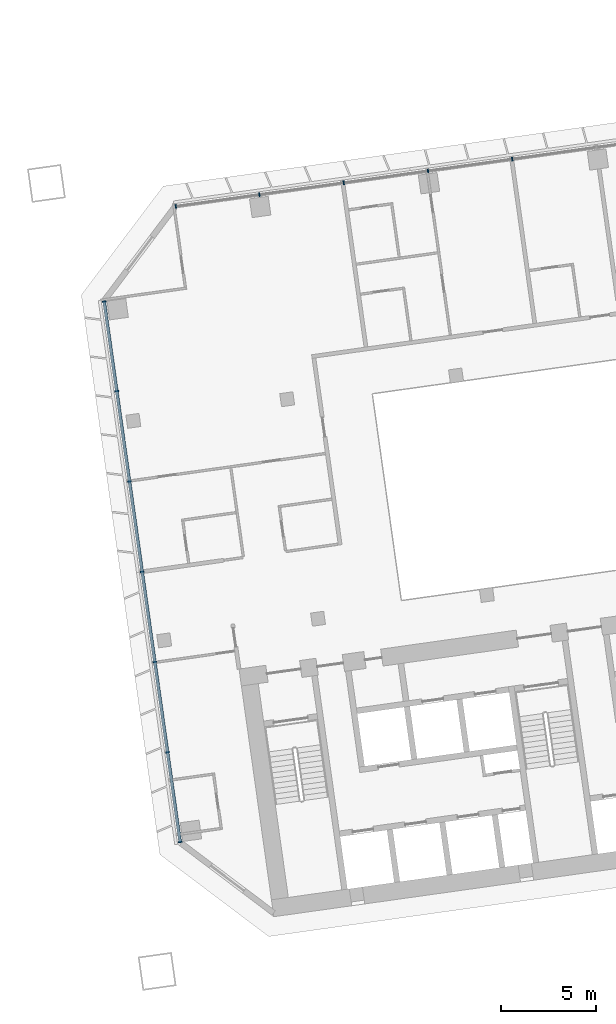
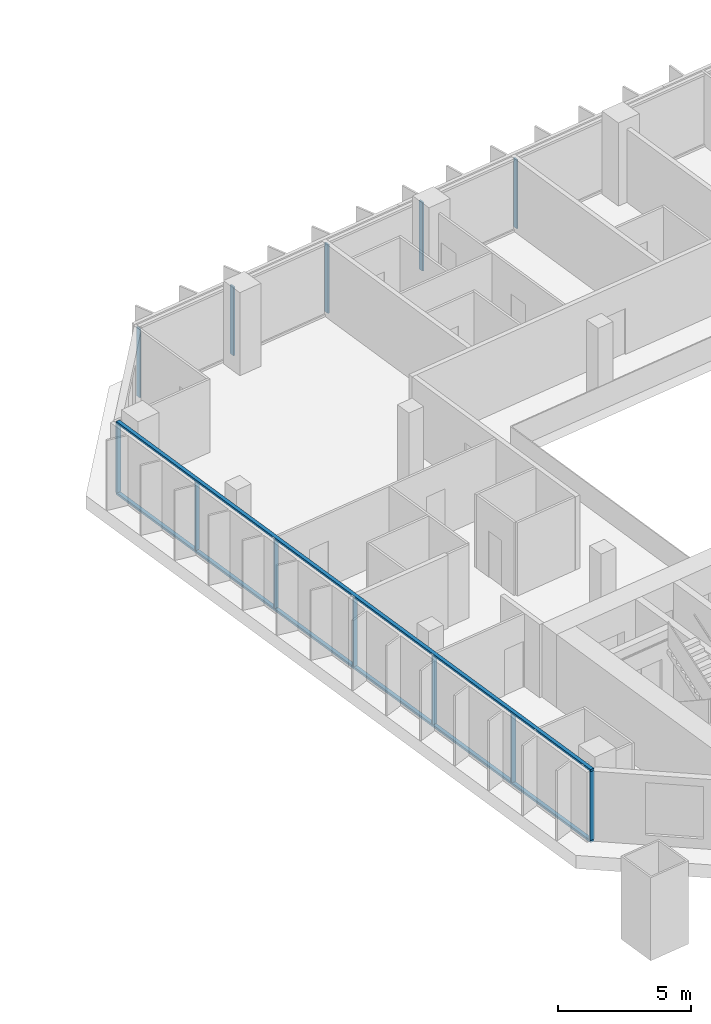
# One storey, part 7 of 25: 14 members, 2 elements without a shape of their own.
"""IFC4 building model written with IfcOpenShell, lengths in metres."""

from ifc_helpers import new_model, si_unit, direction, frame, origin, origin_2d, place, context, subcontext, project, spatial, rectangle, extrude, material, material_profile, profile_set, type_object, element, aggregate, save


model = new_model("IFC4")

# Units and contexts
model_context = context("Model", 3, precision=1e-05, world=origin(), true_north=direction((0.0, 1.0)))
body_context = subcontext(model_context, "Body", "Model", "MODEL_VIEW")
ifc_project = project(units=[si_unit("LENGTHUNIT", "METRE"), si_unit("AREAUNIT", "SQUARE_METRE"), si_unit("VOLUMEUNIT", "CUBIC_METRE"), si_unit("PLANEANGLEUNIT", "RADIAN"), si_unit("MASSUNIT", "GRAM", prefix="KILO")], contexts=[model_context])

# Site, building, storey
site_placement = place(None, origin())
site = spatial("IfcSite", under=ifc_project, at=site_placement, CompositionType="ELEMENT")
building_placement = place(site_placement, origin())
building = spatial("IfcBuilding", under=site, at=building_placement, Name="Mirante Cascada Hotel Towers", CompositionType="ELEMENT")
storey_placement = place(building_placement, frame((0.0, 0.0, 62.3)))
storey = spatial("IfcBuildingStorey", under=building, at=storey_placement, Name="L12", CompositionType="ELEMENT", Elevation=62.3)

# Curtain wall, members
ifc_material_1 = material(Name="Aluminium mullion and transom frame with clear laminated glass", Category="aluminium")
curtain_wall_type_1 = type_object("IfcCurtainWallType", Name="Ribbon curtain wall ECW1", PredefinedType="NOTDEFINED", material=ifc_material_1)
curtain_wall_1_placement = place(storey_placement, origin())
curtain_wall_1 = element("IfcCurtainWall", 1, at=curtain_wall_1_placement, inside=storey, type_object=curtain_wall_type_1, Name="Front ribbon wall T2 L12", PredefinedType="NOTDEFINED")
ifc_material_2 = material(Name="Anodised aluminium extrusion", Category="aluminium")
ifc_material_profile_1 = material_profile(ifc_material_2, rectangle(XDim=0.2, YDim=0.065, at=origin_2d()), Name="ECW1 MULLION 65x200")
ifc_profile_set_1 = profile_set([ifc_material_profile_1], Name="Anodised aluminium extrusion")
member_type_1 = type_object("IfcMemberType", Name="ECW1 mullion 65x200", PredefinedType="MULLION", material=ifc_profile_set_1)
member_1_placement = place(storey_placement, frame((49.684, 19.8017, 0.1), z_axis=(0.0, 0.0, 1.0), x_axis=(0.1391731, -0.9902681, 0.0)))
member_1 = element("IfcMember", 2, at=member_1_placement, type_object=member_type_1, Name="ECW1 mullion 11", PredefinedType="MULLION", context=body_context, shape_type="SweptSolid", body=[
    extrude(rectangle(XDim=0.2, YDim=0.065, at=origin_2d()), origin(), (0.0, 0.0, 1.0), 3.15),
])
member_2_placement = place(storey_placement, frame((45.2366, 19.1766, 0.1), z_axis=(0.0, 0.0, 1.0), x_axis=(0.1391731, -0.9902681, 0.0)))
member_2 = element("IfcMember", 3, at=member_2_placement, type_object=member_type_1, Name="ECW1 mullion 12", PredefinedType="MULLION", context=body_context, shape_type="SweptSolid", body=[
    extrude(rectangle(XDim=0.2, YDim=0.065, at=origin_2d()), origin(), (0.0, 0.0, 1.0), 3.15),
])
member_3_placement = place(storey_placement, frame((40.7892, 18.5516, 0.1), z_axis=(0.0, 0.0, 1.0), x_axis=(0.1391731, -0.9902681, 0.0)))
member_3 = element("IfcMember", 4, at=member_3_placement, type_object=member_type_1, Name="ECW1 mullion 13", PredefinedType="MULLION", context=body_context, shape_type="SweptSolid", body=[
    extrude(rectangle(XDim=0.2, YDim=0.065, at=origin_2d()), origin(), (0.0, 0.0, 1.0), 3.15),
])
member_4_placement = place(storey_placement, frame((36.3417, 17.9265, 0.1), z_axis=(0.0, 0.0, 1.0), x_axis=(0.1391731, -0.9902681, 0.0)))
member_4 = element("IfcMember", 5, at=member_4_placement, type_object=member_type_1, Name="ECW1 mullion 14", PredefinedType="MULLION", context=body_context, shape_type="SweptSolid", body=[
    extrude(rectangle(XDim=0.2, YDim=0.065, at=origin_2d()), origin(), (0.0, 0.0, 1.0), 3.15),
])
member_5_placement = place(storey_placement, frame((31.9265, 17.306, 0.1), z_axis=(0.0, 0.0, 1.0), x_axis=(0.1391731, -0.9902681, 0.0)))
member_5 = element("IfcMember", 6, at=member_5_placement, type_object=member_type_1, Name="ECW1 mullion 15", PredefinedType="MULLION", context=body_context, shape_type="SweptSolid", body=[
    extrude(rectangle(XDim=0.2, YDim=0.065, at=origin_2d()), origin(), (0.0, 0.0, 1.0), 3.15),
])
aggregate(curtain_wall_1, [member_1, member_2, member_3, member_4, member_5])

ifc_material_3 = material(Name="Aluminium mullion and transom frame with clear laminated glass", Category="aluminium")
curtain_wall_type_2 = type_object("IfcCurtainWallType", Name="End ribbon curtain wall ECW2", PredefinedType="NOTDEFINED", material=ifc_material_3)
curtain_wall_2_placement = place(storey_placement, origin())
curtain_wall_2 = element("IfcCurtainWall", 7, at=curtain_wall_2_placement, inside=storey, type_object=curtain_wall_type_2, Name="Inner end wall T2 L12", PredefinedType="NOTDEFINED")
ifc_material_4 = material(Name="Anodised aluminium extrusion", Category="aluminium")
ifc_material_profile_2 = material_profile(ifc_material_4, rectangle(XDim=0.2, YDim=0.065, at=origin_2d()), Name="ECW2 MULLION 65x200")
ifc_profile_set_2 = profile_set([ifc_material_profile_2], Name="Anodised aluminium extrusion")
member_type_2 = type_object("IfcMemberType", Name="ECW2 mullion 65x200", PredefinedType="MULLION", material=ifc_profile_set_2)
member_6_placement = place(storey_placement, frame((28.1437, 12.2861, 0.1), z_axis=(0.0, 0.0, 1.0), x_axis=(0.9902681, 0.1391731, 0.0)))
member_6 = element("IfcMember", 8, at=member_6_placement, type_object=member_type_2, Name="ECW2 mullion 1", PredefinedType="MULLION", context=body_context, shape_type="SweptSolid", body=[
    extrude(rectangle(XDim=0.2, YDim=0.065, at=origin_2d()), origin(), (0.0, 0.0, 1.0), 3.15),
])
member_7_placement = place(storey_placement, frame((28.809, 7.5524, 0.1), z_axis=(0.0, 0.0, 1.0), x_axis=(0.9902681, 0.1391731, 0.0)))
member_7 = element("IfcMember", 9, at=member_7_placement, type_object=member_type_2, Name="ECW2 mullion 2", PredefinedType="MULLION", context=body_context, shape_type="SweptSolid", body=[
    extrude(rectangle(XDim=0.2, YDim=0.065, at=origin_2d()), origin(), (0.0, 0.0, 1.0), 3.15),
])
member_8_placement = place(storey_placement, frame((29.4788, 2.7867, 0.1), z_axis=(0.0, 0.0, 1.0), x_axis=(0.9902681, 0.1391731, 0.0)))
member_8 = element("IfcMember", 10, at=member_8_placement, type_object=member_type_2, Name="ECW2 mullion 3", PredefinedType="MULLION", context=body_context, shape_type="SweptSolid", body=[
    extrude(rectangle(XDim=0.2, YDim=0.065, at=origin_2d()), origin(), (0.0, 0.0, 1.0), 3.15),
])
member_9_placement = place(storey_placement, frame((30.1485, -1.9791, 0.1), z_axis=(0.0, 0.0, 1.0), x_axis=(0.9902681, 0.1391731, 0.0)))
member_9 = element("IfcMember", 11, at=member_9_placement, type_object=member_type_2, Name="ECW2 mullion 4", PredefinedType="MULLION", context=body_context, shape_type="SweptSolid", body=[
    extrude(rectangle(XDim=0.2, YDim=0.065, at=origin_2d()), origin(), (0.0, 0.0, 1.0), 3.15),
])
member_10_placement = place(storey_placement, frame((30.8183, -6.7449, 0.1), z_axis=(0.0, 0.0, 1.0), x_axis=(0.9902681, 0.1391731, 0.0)))
member_10 = element("IfcMember", 12, at=member_10_placement, type_object=member_type_2, Name="ECW2 mullion 5", PredefinedType="MULLION", context=body_context, shape_type="SweptSolid", body=[
    extrude(rectangle(XDim=0.2, YDim=0.065, at=origin_2d()), origin(), (0.0, 0.0, 1.0), 3.15),
])
member_11_placement = place(storey_placement, frame((31.4881, -11.5107, 0.1), z_axis=(0.0, 0.0, 1.0), x_axis=(0.9902681, 0.1391731, 0.0)))
member_11 = element("IfcMember", 13, at=member_11_placement, type_object=member_type_2, Name="ECW2 mullion 6", PredefinedType="MULLION", context=body_context, shape_type="SweptSolid", body=[
    extrude(rectangle(XDim=0.2, YDim=0.065, at=origin_2d()), origin(), (0.0, 0.0, 1.0), 3.15),
])
member_12_placement = place(storey_placement, frame((32.1534, -16.2443, 0.1), z_axis=(0.0, 0.0, 1.0), x_axis=(0.9902681, 0.1391731, 0.0)))
member_12 = element("IfcMember", 14, at=member_12_placement, type_object=member_type_2, Name="ECW2 mullion 7", PredefinedType="MULLION", context=body_context, shape_type="SweptSolid", body=[
    extrude(rectangle(XDim=0.2, YDim=0.065, at=origin_2d()), origin(), (0.0, 0.0, 1.0), 3.15),
])
ifc_material_5 = material(Name="Anodised aluminium extrusion", Category="aluminium")
ifc_material_profile_3 = material_profile(ifc_material_5, rectangle(XDim=0.16, YDim=0.1, at=origin_2d()), Name="ECW2 TRANSOM 100x160")
ifc_profile_set_3 = profile_set([ifc_material_profile_3], Name="Anodised aluminium extrusion")
member_type_3 = type_object("IfcMemberType", Name="ECW2 transom 100x160", PredefinedType="USERDEFINED", material=ifc_profile_set_3)
member_13_placement = place(storey_placement, frame((28.1392, 12.3182, 0.05), z_axis=(0.1391723, -0.9902682, 0.0), x_axis=(0.9902682, 0.1391723, 0.0)))
member_13 = element("IfcMember", 15, at=member_13_placement, type_object=member_type_3, Name="ECW2 sill transom", ObjectType="TRANSOM", PredefinedType="USERDEFINED", context=body_context, shape_type="SweptSolid", body=[
    extrude(rectangle(XDim=0.16, YDim=0.1, at=origin_2d()), origin(), (0.0, 0.0, 1.0), 28.8757),
])
member_14_placement = place(storey_placement, frame((28.1392, 12.3182, 3.3), z_axis=(0.1391723, -0.9902682, 0.0), x_axis=(0.9902682, 0.1391723, 0.0)))
member_14 = element("IfcMember", 16, at=member_14_placement, type_object=member_type_3, Name="ECW2 head transom", ObjectType="TRANSOM", PredefinedType="USERDEFINED", context=body_context, shape_type="SweptSolid", body=[
    extrude(rectangle(XDim=0.16, YDim=0.1, at=origin_2d()), origin(), (0.0, 0.0, 1.0), 28.8757),
])
aggregate(curtain_wall_2, [member_13, member_14, member_6, member_7, member_8, member_9, member_10, member_11, member_12])

save(model, "model.ifc")
